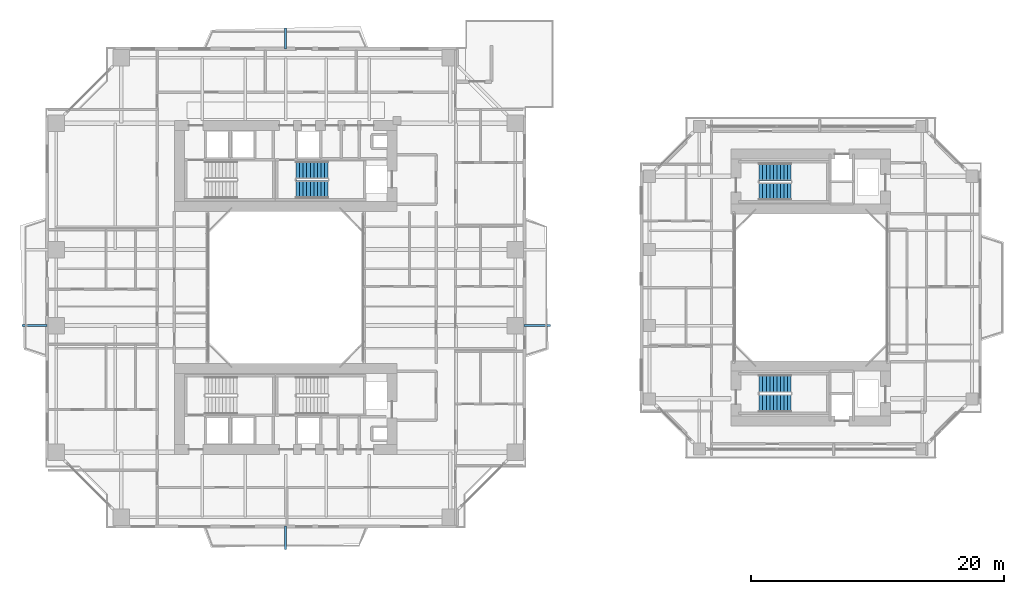
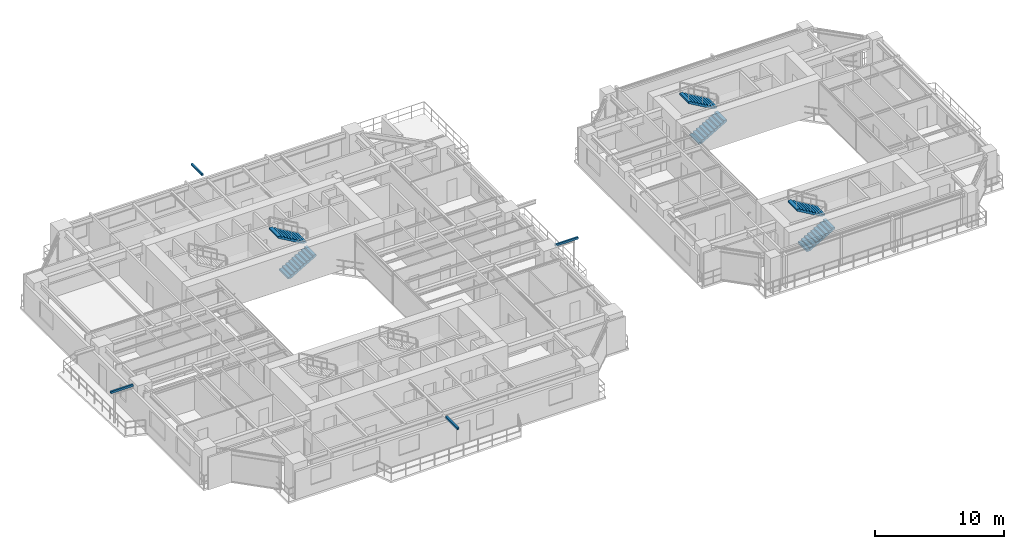
# One storey, part 19 of 23: 6 stair flights, 4 discrete accessories, 3 elements without a shape of their own.
"""IFC4 building model written with IfcOpenShell, lengths in metres."""

from ifc_helpers import new_model, si_unit, direction, frame, origin, origin_2d, place, context, subcontext, project, spatial, polyline, rectangle, outline, extrude, source, transform, mapped, material, type_object, element, aggregate, save


model = new_model("IFC4")

# Units and contexts
model_context = context("Model", 3, precision=1e-05, world=origin(), true_north=direction((0.0, 1.0)))
body_context = subcontext(model_context, "Body", "Model", "MODEL_VIEW")
ifc_project = project(units=[si_unit("LENGTHUNIT", "METRE"), si_unit("AREAUNIT", "SQUARE_METRE"), si_unit("VOLUMEUNIT", "CUBIC_METRE"), si_unit("PLANEANGLEUNIT", "RADIAN"), si_unit("MASSUNIT", "GRAM", prefix="KILO"), si_unit("THERMODYNAMICTEMPERATUREUNIT", "KELVIN"), si_unit("POWERUNIT", "WATT")], contexts=[model_context])

# Site, building, storey
site_placement = place(None, origin())
site = spatial("IfcSite", under=ifc_project, at=site_placement, CompositionType="ELEMENT")
building_placement = place(site_placement, origin())
building = spatial("IfcBuilding", under=site, at=building_placement, Name="Qiaomeng Ring Towers", CompositionType="ELEMENT")
storey_placement = place(building_placement, frame((0.0, 0.0, 32.75)))
storey = spatial("IfcBuildingStorey", under=building, at=storey_placement, Name="L08", CompositionType="ELEMENT", Elevation=32.75)

# Stair, stair flights
ifc_material_1 = material(Name="Precast concrete C40", Category="concrete")
stair_type = type_object("IfcStairType", Name="ARC-ST-325", PredefinedType="HALF_TURN_STAIR", material=ifc_material_1)
stair_1_placement = place(storey_placement, origin())
stair_1 = element("IfcStair", 1, at=stair_1_placement, inside=storey, type_object=stair_type, Name="L08 Tower 1 North Stair 2", PredefinedType="HALF_TURN_STAIR")
stair_flight_type = type_object("IfcStairFlightType", Name="ARC-ST-325-FL", PredefinedType="STRAIGHT", material=ifc_material_1)
shared_shape_1 = source(origin(), body_context, "Body", "SweptSolid", [
    extrude(outline(polyline([(0.0, 0.0), (0.0, 0.16259765625), (0.280029296875, 0.16259765625), (0.280029296875, 0.324951171875), (0.56005859375, 0.324951171875), (0.56005859375, 0.487548828125), (0.840087890625, 0.487548828125), (0.840087890625, 0.64990234375), (1.1201171875, 0.64990234375), (1.1201171875, 0.8125), (1.39990234375, 0.8125), (1.39990234375, 0.97509765625), (1.679931640625, 0.97509765625), (1.679931640625, 1.137451171875), (1.9599609375, 1.137451171875), (1.9599609375, 1.300048828125), (2.239990234375, 1.300048828125), (2.239990234375, 1.46240234375), (2.52001953125, 1.46240234375), (2.52001953125, 1.625), (2.52001953125, 1.2890625), (0.298583984375, 0.0), (0.0, 0.0)])), frame((0.0, 0.699951171875, 0.0), z_axis=(0.0, -1.0, 0.0), x_axis=(1.0, 0.0, 0.0)), (0.0, 0.0, 1.0), 1.39990234375),
])
stair_flight_1_placement = place(storey_placement, frame((19.820068359375, 30.75, 0.0), z_axis=(0.0, 0.0, 1.0), x_axis=(1.0, 0.0, 0.0)))
stair_flight_1 = element("IfcStairFlight", 2, at=stair_flight_1_placement, type_object=stair_flight_type, Name="ST2 flight 1", NumberOfRisers=10, NumberOfTreads=9, PredefinedType="STRAIGHT", RiserHeight=0.1625, TreadLength=0.28, context=body_context, shape_type="MappedRepresentation", body=[
    mapped(shared_shape_1, transform((0.0, 0.0, 0.0), x_axis=(1.0, 0.0, 0.0), y_axis=(0.0, 1.0, 0.0), z_axis=(0.0, 0.0, 1.0), scale=1.0)),
])
stair_flight_2_placement = place(storey_placement, frame((22.340087890625, 32.2900390625, 1.625), z_axis=(0.0, 0.0, 1.0), x_axis=(-1.0, 0.0, 0.0)))
stair_flight_2 = element("IfcStairFlight", 3, at=stair_flight_2_placement, type_object=stair_flight_type, Name="ST2 flight 2", NumberOfRisers=10, NumberOfTreads=9, PredefinedType="STRAIGHT", RiserHeight=0.1625, TreadLength=0.28, context=body_context, shape_type="MappedRepresentation", body=[
    mapped(shared_shape_1, transform((0.0, 0.0, 0.0), x_axis=(1.0, 0.0, 0.0), y_axis=(0.0, 1.0, 0.0), z_axis=(0.0, 0.0, 1.0), scale=1.0)),
])
aggregate(stair_1, [stair_flight_1, stair_flight_2])

stair_2_placement = place(storey_placement, origin())
stair_2 = element("IfcStair", 4, at=stair_2_placement, inside=storey, type_object=stair_type, Name="L08 Companion North Stair 5", PredefinedType="HALF_TURN_STAIR")
stair_flight_3_placement = place(storey_placement, frame((56.419921875, 30.60009765625, 0.0), z_axis=(0.0, 0.0, 1.0), x_axis=(1.0, 0.0, 0.0)))
stair_flight_3 = element("IfcStairFlight", 5, at=stair_flight_3_placement, type_object=stair_flight_type, Name="ST5 flight 1", NumberOfRisers=10, NumberOfTreads=9, PredefinedType="STRAIGHT", RiserHeight=0.1625, TreadLength=0.28, context=body_context, shape_type="MappedRepresentation", body=[
    mapped(shared_shape_1, transform((0.0, 0.0, 0.0), x_axis=(1.0, 0.0, 0.0), y_axis=(0.0, 1.0, 0.0), z_axis=(0.0, 0.0, 1.0), scale=1.0)),
])
stair_flight_4_placement = place(storey_placement, frame((58.93994140625, 32.139892578125, 1.625), z_axis=(0.0, 0.0, 1.0), x_axis=(-1.0, 0.0, 0.0)))
stair_flight_4 = element("IfcStairFlight", 6, at=stair_flight_4_placement, type_object=stair_flight_type, Name="ST5 flight 2", NumberOfRisers=10, NumberOfTreads=9, PredefinedType="STRAIGHT", RiserHeight=0.1625, TreadLength=0.28, context=body_context, shape_type="MappedRepresentation", body=[
    mapped(shared_shape_1, transform((0.0, 0.0, 0.0), x_axis=(1.0, 0.0, 0.0), y_axis=(0.0, 1.0, 0.0), z_axis=(0.0, 0.0, 1.0), scale=1.0)),
])
aggregate(stair_2, [stair_flight_3, stair_flight_4])

stair_3_placement = place(storey_placement, origin())
stair_3 = element("IfcStair", 7, at=stair_3_placement, inside=storey, type_object=stair_type, Name="L08 Companion South Stair 6", PredefinedType="HALF_TURN_STAIR")
stair_flight_5_placement = place(storey_placement, frame((56.419921875, 13.860107421875, 0.0), z_axis=(0.0, 0.0, 1.0), x_axis=(1.0, 0.0, 0.0)))
stair_flight_5 = element("IfcStairFlight", 8, at=stair_flight_5_placement, type_object=stair_flight_type, Name="ST6 flight 1", NumberOfRisers=10, NumberOfTreads=9, PredefinedType="STRAIGHT", RiserHeight=0.1625, TreadLength=0.28, context=body_context, shape_type="MappedRepresentation", body=[
    mapped(shared_shape_1, transform((0.0, 0.0, 0.0), x_axis=(1.0, 0.0, 0.0), y_axis=(0.0, 1.0, 0.0), z_axis=(0.0, 0.0, 1.0), scale=1.0)),
])
stair_flight_6_placement = place(storey_placement, frame((58.93994140625, 15.39990234375, 1.625), z_axis=(0.0, 0.0, 1.0), x_axis=(-1.0, 0.0, 0.0)))
stair_flight_6 = element("IfcStairFlight", 9, at=stair_flight_6_placement, type_object=stair_flight_type, Name="ST6 flight 2", NumberOfRisers=10, NumberOfTreads=9, PredefinedType="STRAIGHT", RiserHeight=0.1625, TreadLength=0.28, context=body_context, shape_type="MappedRepresentation", body=[
    mapped(shared_shape_1, transform((0.0, 0.0, 0.0), x_axis=(1.0, 0.0, 0.0), y_axis=(0.0, 1.0, 0.0), z_axis=(0.0, 0.0, 1.0), scale=1.0)),
])
aggregate(stair_3, [stair_flight_5, stair_flight_6])

# Discrete accessories
ifc_material_2 = material(Name="Stainless steel 316", Category="steel")
discrete_accessory_type = type_object("IfcDiscreteAccessoryType", Name="ARC-ACC-BRACKET", PredefinedType="BRACKET", material=ifc_material_2)
shared_shape_2 = source(origin(), body_context, "Body", "SweptSolid", [
    extrude(rectangle(XDim=0.159912109375, YDim=1.85009765625, at=origin_2d()), origin(), (0.0, 0.0, 1.0), 0.179931640625),
])
discrete_accessory_1_placement = place(storey_placement, frame((19.0, 3.22509765625, 2.89990234375), z_axis=(0.0, 0.0, 1.0), x_axis=(1.0, 0.0, 0.0)))
element("IfcDiscreteAccessory", 10, at=discrete_accessory_1_placement, inside=storey, type_object=discrete_accessory_type, Name="L08 Stainless Outer-Skin Tie Bracket S", PredefinedType="BRACKET", context=body_context, shape_type="MappedRepresentation", body=[
    mapped(shared_shape_2, transform((0.0, 0.0, 0.0), x_axis=(1.0, 0.0, 0.0), y_axis=(0.0, 1.0, 0.0), z_axis=(0.0, 0.0, 1.0), scale=1.0)),
])
shared_shape_3 = source(origin(), body_context, "Body", "SweptSolid", [
    extrude(rectangle(XDim=0.159912109375, YDim=1.669921875, at=origin_2d()), origin(), (0.0, 0.0, 1.0), 0.179931640625),
])
discrete_accessory_2_placement = place(storey_placement, frame((19.0, 42.68505859375, 2.89990234375), z_axis=(0.0, 0.0, 1.0), x_axis=(1.0, 0.0, 0.0)))
element("IfcDiscreteAccessory", 11, at=discrete_accessory_2_placement, inside=storey, type_object=discrete_accessory_type, Name="L08 Stainless Outer-Skin Tie Bracket N", PredefinedType="BRACKET", context=body_context, shape_type="MappedRepresentation", body=[
    mapped(shared_shape_3, transform((0.0, 0.0, 0.0), x_axis=(1.0, 0.0, 0.0), y_axis=(0.0, 1.0, 0.0), z_axis=(0.0, 0.0, 1.0), scale=1.0)),
])
shared_shape_4 = source(origin(), body_context, "Body", "SweptSolid", [
    extrude(rectangle(XDim=2.0, YDim=0.159912109375, at=origin_2d()), origin(), (0.0, 0.0, 1.0), 0.179931640625),
])
discrete_accessory_3_placement = place(storey_placement, frame((-0.85009765625, 20.0, 2.89990234375), z_axis=(0.0, 0.0, 1.0), x_axis=(1.0, 0.0, 0.0)))
element("IfcDiscreteAccessory", 12, at=discrete_accessory_3_placement, inside=storey, type_object=discrete_accessory_type, Name="L08 Stainless Outer-Skin Tie Bracket W", PredefinedType="BRACKET", context=body_context, shape_type="MappedRepresentation", body=[
    mapped(shared_shape_4, transform((0.0, 0.0, 0.0), x_axis=(1.0, 0.0, 0.0), y_axis=(0.0, 1.0, 0.0), z_axis=(0.0, 0.0, 1.0), scale=1.0)),
])
shared_shape_5 = source(origin(), body_context, "Body", "SweptSolid", [
    extrude(rectangle(XDim=2.070068359375, YDim=0.159912109375, at=origin_2d()), origin(), (0.0, 0.0, 1.0), 0.179931640625),
])
discrete_accessory_4_placement = place(storey_placement, frame((38.885009765625, 20.0, 2.89990234375), z_axis=(0.0, 0.0, 1.0), x_axis=(1.0, 0.0, 0.0)))
element("IfcDiscreteAccessory", 13, at=discrete_accessory_4_placement, inside=storey, type_object=discrete_accessory_type, Name="L08 Stainless Outer-Skin Tie Bracket E", PredefinedType="BRACKET", context=body_context, shape_type="MappedRepresentation", body=[
    mapped(shared_shape_5, transform((0.0, 0.0, 0.0), x_axis=(1.0, 0.0, 0.0), y_axis=(0.0, 1.0, 0.0), z_axis=(0.0, 0.0, 1.0), scale=1.0)),
])

save(model, "model.ifc")
